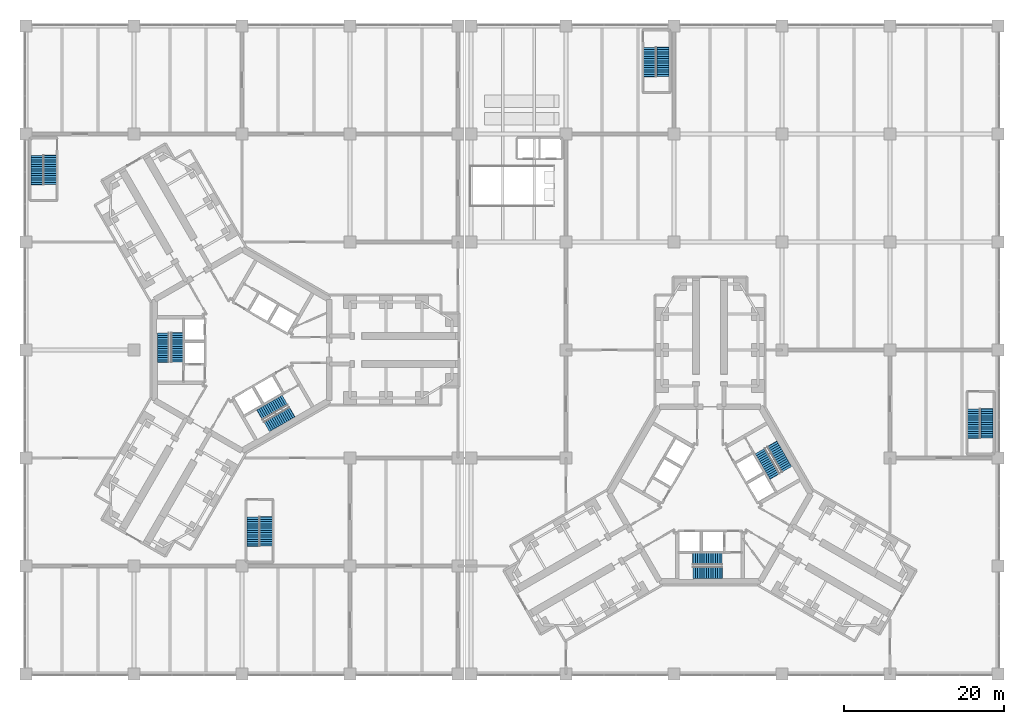
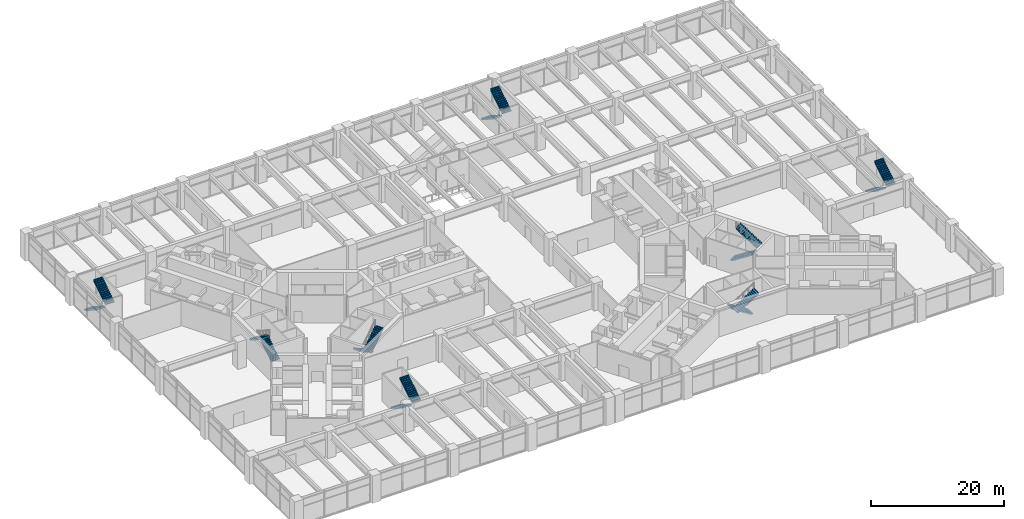
# One storey, part 29 of 32: 16 stair flights, 8 elements without a shape of their own.
"""IFC4 building model written with IfcOpenShell, lengths in metres."""

import ifcopenshell
import ifcopenshell.guid

model = None  # the IFC model being written
_history = None  # IfcOwnerHistory: only IFC2X3 demands one
_inside = {}  # id of a spatial element -> (the spatial element, [elements in it])
_under = {}  # id of a project, library or spatial element -> (it, [spatial elements below it])
_declared = {}  # id of a project -> (the project, [libraries it declares])
_typed = {}  # id of a type object -> (the type object, [elements of that type])
_made_of = {}  # id of a material, layer set ... -> (it, [elements and type objects made of it])


def new_model(schema):
    """Start an empty IFC model of exactly this schema.

    Asked for "IFC4X3", IfcOpenShell would pick the latest addendum, in which some entities
    have other attributes; the version numbers below select the first issue.
    IFC2X3 requires an IfcOwnerHistory on every rooted entity: one is made here for all.
    """
    global model, _history
    if schema == "IFC4X3":
        model = ifcopenshell.file(schema_version=(4, 3, 0, 0))
    else:
        model = ifcopenshell.file(schema=schema)
    _inside.clear()
    _under.clear()
    _declared.clear()
    _typed.clear()
    _made_of.clear()
    _history = None
    if model.schema == "IFC2X3":
        org = make("IfcOrganization", Name="unknown")
        user = make(
            "IfcPersonAndOrganization",
            ThePerson=make("IfcPerson", FamilyName="unknown"),
            TheOrganization=org,
        )
        app = make(
            "IfcApplication",
            ApplicationDeveloper=org,
            Version="unknown",
            ApplicationFullName="unknown",
            ApplicationIdentifier="unknown",
        )
        _history = make(
            "IfcOwnerHistory",
            OwningUser=user,
            OwningApplication=app,
            ChangeAction="ADDED",
            CreationDate=0,
        )
    return model


def make(cls, **values):
    """One entity of the class cls with the attributes given. An attribute that is None is left unset."""
    return model.create_entity(
        cls, **{name: value for name, value in values.items() if value is not None}
    )


def rooted(cls, **values):
    """An entity with a GlobalId (a new one), such as an element, a storey or a relation."""
    return make(cls, GlobalId=ifcopenshell.guid.new(), OwnerHistory=_history, **values)


def si_unit(unit_type, name, prefix=None):
    """IfcSIUnit, for example si_unit("LENGTHUNIT", "METRE", prefix="MILLI")."""
    return make("IfcSIUnit", UnitType=unit_type, Prefix=prefix, Name=name)


def assignment(units):
    """IfcUnitAssignment: the units of a project."""
    return None if units is None else make("IfcUnitAssignment", Units=units)


def point(xyz):
    """IfcCartesianPoint."""
    return None if xyz is None else make("IfcCartesianPoint", Coordinates=xyz)


def direction(xyz):
    """IfcDirection."""
    return None if xyz is None else make("IfcDirection", DirectionRatios=xyz)


def frame(location, z_axis=None, x_axis=None):
    """IfcAxis2Placement3D, a coordinate frame: its origin and axes. An axis left out is left unset."""
    return make(
        "IfcAxis2Placement3D",
        Location=point(location),
        Axis=direction(z_axis),
        RefDirection=direction(x_axis),
    )


def origin():
    """The frame at (0, 0, 0) with its axes left unset."""
    return frame((0.0, 0.0, 0.0))


def place(relative_to, where):
    """IfcLocalPlacement: puts the frame where relative to a parent placement (None: the world)."""
    return make(
        "IfcLocalPlacement", PlacementRelTo=relative_to, RelativePlacement=where
    )


def context(
    kind, dimensions, precision=None, world=None, true_north=None, identifier=None
):
    """IfcGeometricRepresentationContext, for example the 3D "Model" context."""
    return make(
        "IfcGeometricRepresentationContext",
        ContextIdentifier=identifier,
        ContextType=kind,
        CoordinateSpaceDimension=dimensions,
        Precision=precision,
        WorldCoordinateSystem=world,
        TrueNorth=true_north,
    )


def subcontext(parent, identifier, kind, view, scale=None):
    """IfcGeometricRepresentationSubContext, for example "Body" below "Model"."""
    return make(
        "IfcGeometricRepresentationSubContext",
        ContextIdentifier=identifier,
        ContextType=kind,
        ParentContext=parent,
        TargetScale=scale,
        TargetView=view,
    )


def project(units=None, contexts=None):
    """IfcProject with its units and contexts."""
    return rooted(
        "IfcProject",
        Name="project",
        RepresentationContexts=contexts,
        UnitsInContext=assignment(units),
    )


def spatial(cls, under=None, at=None, **own):
    """A site, building, storey or space (cls), placed at a placement, below another one or the project."""
    s = rooted(cls, ObjectPlacement=at, **own)
    if under is not None:
        _under.setdefault(under.id(), (under, []))[1].append(s)
    return s


def polyline(points):
    """IfcPolyline through the points."""
    return make("IfcPolyline", Points=[point(p) for p in points])


def outline(outer, holes=None, kind="AREA"):
    """IfcArbitraryClosedProfileDef: a profile drawn as a closed curve; with holes, ...WithVoids."""
    if holes is None:
        return make("IfcArbitraryClosedProfileDef", ProfileType=kind, OuterCurve=outer)
    return make(
        "IfcArbitraryProfileDefWithVoids",
        ProfileType=kind,
        OuterCurve=outer,
        InnerCurves=holes,
    )


def extrude(swept, where, along, depth):
    """IfcExtrudedAreaSolid: the profile swept, set in the frame where, extruded along a direction by depth."""
    return make(
        "IfcExtrudedAreaSolid",
        SweptArea=swept,
        Position=where,
        ExtrudedDirection=direction(along),
        Depth=depth,
    )


def shape(context_of_items, identifier, shape_type, items):
    """IfcShapeRepresentation: the items that make up one representation, for example the "Body"."""
    return make(
        "IfcShapeRepresentation",
        ContextOfItems=context_of_items,
        RepresentationIdentifier=identifier,
        RepresentationType=shape_type,
        Items=items,
    )


def material(Name=None, Category=None):
    """IfcMaterial."""
    return make("IfcMaterial", Name=Name, Category=Category)


def made_of(thing, what):
    """Note that an element or type object is made of a material, layer set ...; save() writes the relation."""
    if what is not None:
        _made_of.setdefault(what.id(), (what, []))[1].append(thing)
    return thing


def type_object(cls, material=None, **own):
    """A type object (cls), such as IfcWallType, which elements share."""
    return made_of(rooted(cls, **own), material)


def element(
    cls,
    number,
    at=None,
    inside=None,
    cuts=None,
    type_object=None,
    material=None,
    context=None,
    identifier="Body",
    shape_type=None,
    held_by="IfcProductDefinitionShape",
    body=None,
    shapes=None,
    **own,
):
    """One element of the class cls, such as IfcWall. Its Tag is "e" and its number.

    at: its placement. inside: the storey or other place that contains it. cuts: it is an
    opening in that element (IfcRelVoidsElement). A single representation is given by context,
    identifier, shape_type and body (its items); several are given by shapes. held_by: the class
    of the entity that holds the representations. save() writes the other relations.
    """
    e = rooted(cls, Tag="e%d" % number, ObjectPlacement=at, **own)
    if body is not None:
        shapes = [shape(context, identifier, shape_type, body)]
    if shapes is not None:
        e.Representation = make(held_by, Representations=shapes)
    if inside is not None:
        _inside.setdefault(inside.id(), (inside, []))[1].append(e)
    if cuts is not None:
        rooted(
            "IfcRelVoidsElement", RelatingBuildingElement=cuts, RelatedOpeningElement=e
        )
    if type_object is not None:
        _typed.setdefault(type_object.id(), (type_object, []))[1].append(e)
    return made_of(e, material)


def aggregate(whole, parts):
    """IfcRelAggregates: a whole, such as a stair, and the parts it consists of."""
    return rooted("IfcRelAggregates", RelatingObject=whole, RelatedObjects=parts)


def save(model, path):
    """Write the relations noted so far, then the file.

    IfcRelAggregates (storeys below a building ...), IfcRelContainedInSpatialStructure (elements
    in a storey), IfcRelDefinesByType, IfcRelAssociatesMaterial and IfcRelDeclares: one each for
    every whole, place, type object, material and project.
    """
    for whole, parts in _under.values():
        aggregate(whole, parts)
    for where, things in _inside.values():
        rooted(
            "IfcRelContainedInSpatialStructure",
            RelatedElements=things,
            RelatingStructure=where,
        )
    for kind, things in _typed.values():
        rooted("IfcRelDefinesByType", RelatedObjects=things, RelatingType=kind)
    for what, things in _made_of.values():
        rooted("IfcRelAssociatesMaterial", RelatedObjects=things, RelatingMaterial=what)
    for by, libraries in _declared.values():
        rooted("IfcRelDeclares", RelatingContext=by, RelatedDefinitions=libraries)
    model.write(path)


model = new_model("IFC4")

# Units and contexts
model_context = context("Model", 3, precision=1e-05, world=origin(), true_north=direction((0.0, 1.0)))
body_context = subcontext(model_context, "Body", "Model", "MODEL_VIEW")
ifc_project = project(units=[si_unit("LENGTHUNIT", "METRE"), si_unit("AREAUNIT", "SQUARE_METRE"), si_unit("VOLUMEUNIT", "CUBIC_METRE"), si_unit("PLANEANGLEUNIT", "RADIAN"), si_unit("MASSUNIT", "GRAM", prefix="KILO")], contexts=[model_context])

# Site, building, storey
site_placement = place(None, origin())
site = spatial("IfcSite", under=ifc_project, at=site_placement, CompositionType="ELEMENT")
building_placement = place(site_placement, origin())
building = spatial("IfcBuilding", under=site, at=building_placement, Name="Upepo Twin Towers", CompositionType="ELEMENT")
storey_placement = place(building_placement, frame((0.0, 0.0, 5.5)))
storey = spatial("IfcBuildingStorey", under=building, at=storey_placement, Name="L01", CompositionType="ELEMENT", Elevation=5.5)

# Stair, stair flights
ifc_material_1 = material(Name="Concrete C40/50", Category="concrete")
stair_type_1 = type_object("IfcStairType", Name="Podium stair, two flights", PredefinedType="HALF_TURN_STAIR", material=ifc_material_1)
stair_1_placement = place(storey_placement, origin())
stair_1 = element("IfcStair", 1, at=stair_1_placement, inside=storey, type_object=stair_type_1, Name="Podium stair PS1 L01", PredefinedType="HALF_TURN_STAIR")
ifc_material_2 = material(Name="Concrete C40/50", Category="concrete")
stair_flight_type_1 = type_object("IfcStairFlightType", Name="Podium stair flight 1550 RC", PredefinedType="STRAIGHT", material=ifc_material_2)
stair_flight_1_placement = place(storey_placement, frame((-25.625, 24.320068359375, 0.0), z_axis=(0.0, 0.0, 1.0), x_axis=(0.0, -1.0, 0.0)))
stair_flight_1 = element("IfcStairFlight", 2, at=stair_flight_1_placement, type_object=stair_flight_type_1, Name="Stair PS1 flight 1", NumberOfRisers=14, NumberOfTreads=13, PredefinedType="STRAIGHT", RiserHeight=0.178571429, TreadLength=0.28, context=body_context, shape_type="SweptSolid", body=[
    extrude(outline(polyline([(0.0, 0.0), (0.0, 0.178466796875), (0.280029296875, 0.178466796875), (0.280029296875, 0.357177734375), (0.56005859375, 0.357177734375), (0.56005859375, 0.53564453125), (0.840087890625, 0.53564453125), (0.840087890625, 0.71435546875), (1.1201171875, 0.71435546875), (1.1201171875, 0.892822265625), (1.39990234375, 0.892822265625), (1.39990234375, 1.071533203125), (1.679931640625, 1.071533203125), (1.679931640625, 1.25), (1.9599609375, 1.25), (1.9599609375, 1.428466796875), (2.239990234375, 1.428466796875), (2.239990234375, 1.607177734375), (2.52001953125, 1.607177734375), (2.52001953125, 1.78564453125), (2.800048828125, 1.78564453125), (2.800048828125, 1.96435546875), (3.080078125, 1.96435546875), (3.080078125, 2.142822265625), (3.360107421875, 2.142822265625), (3.360107421875, 2.321533203125), (3.639892578125, 2.321533203125), (3.639892578125, 2.5), (3.68994140625, 2.5), (3.68994140625, 2.1435546875), (0.328857421875, 0.0), (0.0, 0.0)])), frame((0.0, 0.77490234375, 0.0), z_axis=(0.0, -1.0, 0.0), x_axis=(1.0, 0.0, 0.0)), (0.0, 0.0, 1.0), 1.550048828125),
])
stair_flight_2_placement = place(storey_placement, frame((-23.97509765625, 20.679931640625, 2.5), z_axis=(0.0, 0.0, 1.0), x_axis=(0.0, 1.0, 0.0)))
stair_flight_2 = element("IfcStairFlight", 3, at=stair_flight_2_placement, type_object=stair_flight_type_1, Name="Stair PS1 flight 2", NumberOfRisers=14, NumberOfTreads=13, PredefinedType="STRAIGHT", RiserHeight=0.178571429, TreadLength=0.28, context=body_context, shape_type="SweptSolid", body=[
    extrude(outline(polyline([(0.0, 0.0), (0.0, 0.178466796875), (0.280029296875, 0.178466796875), (0.280029296875, 0.357177734375), (0.56005859375, 0.357177734375), (0.56005859375, 0.53564453125), (0.840087890625, 0.53564453125), (0.840087890625, 0.71435546875), (1.1201171875, 0.71435546875), (1.1201171875, 0.892822265625), (1.39990234375, 0.892822265625), (1.39990234375, 1.071533203125), (1.679931640625, 1.071533203125), (1.679931640625, 1.25), (1.9599609375, 1.25), (1.9599609375, 1.428466796875), (2.239990234375, 1.428466796875), (2.239990234375, 1.607177734375), (2.52001953125, 1.607177734375), (2.52001953125, 1.78564453125), (2.800048828125, 1.78564453125), (2.800048828125, 1.96435546875), (3.080078125, 1.96435546875), (3.080078125, 2.142822265625), (3.360107421875, 2.142822265625), (3.360107421875, 2.321533203125), (3.639892578125, 2.321533203125), (3.639892578125, 2.5), (3.68994140625, 2.5), (3.68994140625, 2.1435546875), (0.328857421875, 0.0), (0.0, 0.0)])), frame((0.0, 0.77490234375, 0.0), z_axis=(0.0, -1.0, 0.0), x_axis=(1.0, 0.0, 0.0)), (0.0, 0.0, 1.0), 1.550048828125),
])
aggregate(stair_1, [stair_flight_1, stair_flight_2])

stair_2_placement = place(storey_placement, origin())
stair_2 = element("IfcStair", 4, at=stair_2_placement, inside=storey, type_object=stair_type_1, Name="Podium stair PS2 L01", PredefinedType="HALF_TURN_STAIR")
stair_flight_3_placement = place(storey_placement, frame((91.47509765625, -7.3798828125, 0.0), z_axis=(0.0, 0.0, 1.0), x_axis=(0.0, -1.0, 0.0)))
stair_flight_3 = element("IfcStairFlight", 5, at=stair_flight_3_placement, type_object=stair_flight_type_1, Name="Stair PS2 flight 1", NumberOfRisers=14, NumberOfTreads=13, PredefinedType="STRAIGHT", RiserHeight=0.178571429, TreadLength=0.28, context=body_context, shape_type="SweptSolid", body=[
    extrude(outline(polyline([(0.0, 0.0), (0.0, 0.178466796875), (0.280029296875, 0.178466796875), (0.280029296875, 0.357177734375), (0.56005859375, 0.357177734375), (0.56005859375, 0.53564453125), (0.840087890625, 0.53564453125), (0.840087890625, 0.71435546875), (1.1201171875, 0.71435546875), (1.1201171875, 0.892822265625), (1.39990234375, 0.892822265625), (1.39990234375, 1.071533203125), (1.679931640625, 1.071533203125), (1.679931640625, 1.25), (1.9599609375, 1.25), (1.9599609375, 1.428466796875), (2.239990234375, 1.428466796875), (2.239990234375, 1.607177734375), (2.52001953125, 1.607177734375), (2.52001953125, 1.78564453125), (2.800048828125, 1.78564453125), (2.800048828125, 1.96435546875), (3.080078125, 1.96435546875), (3.080078125, 2.142822265625), (3.360107421875, 2.142822265625), (3.360107421875, 2.321533203125), (3.639892578125, 2.321533203125), (3.639892578125, 2.5), (3.68994140625, 2.5), (3.68994140625, 2.1435546875), (0.328857421875, 0.0), (0.0, 0.0)])), frame((0.0, 0.77490234375, 0.0), z_axis=(0.0, -1.0, 0.0), x_axis=(1.0, 0.0, 0.0)), (0.0, 0.0, 1.0), 1.550048828125),
])
stair_flight_4_placement = place(storey_placement, frame((93.125, -11.02001953125, 2.5), z_axis=(0.0, 0.0, 1.0), x_axis=(0.0, 1.0, 0.0)))
stair_flight_4 = element("IfcStairFlight", 6, at=stair_flight_4_placement, type_object=stair_flight_type_1, Name="Stair PS2 flight 2", NumberOfRisers=14, NumberOfTreads=13, PredefinedType="STRAIGHT", RiserHeight=0.178571429, TreadLength=0.28, context=body_context, shape_type="SweptSolid", body=[
    extrude(outline(polyline([(0.0, 0.0), (0.0, 0.178466796875), (0.280029296875, 0.178466796875), (0.280029296875, 0.357177734375), (0.56005859375, 0.357177734375), (0.56005859375, 0.53564453125), (0.840087890625, 0.53564453125), (0.840087890625, 0.71435546875), (1.1201171875, 0.71435546875), (1.1201171875, 0.892822265625), (1.39990234375, 0.892822265625), (1.39990234375, 1.071533203125), (1.679931640625, 1.071533203125), (1.679931640625, 1.25), (1.9599609375, 1.25), (1.9599609375, 1.428466796875), (2.239990234375, 1.428466796875), (2.239990234375, 1.607177734375), (2.52001953125, 1.607177734375), (2.52001953125, 1.78564453125), (2.800048828125, 1.78564453125), (2.800048828125, 1.96435546875), (3.080078125, 1.96435546875), (3.080078125, 2.142822265625), (3.360107421875, 2.142822265625), (3.360107421875, 2.321533203125), (3.639892578125, 2.321533203125), (3.639892578125, 2.5), (3.68994140625, 2.5), (3.68994140625, 2.1435546875), (0.328857421875, 0.0), (0.0, 0.0)])), frame((0.0, 0.77490234375, 0.0), z_axis=(0.0, -1.0, 0.0), x_axis=(1.0, 0.0, 0.0)), (0.0, 0.0, 1.0), 1.550048828125),
])
aggregate(stair_2, [stair_flight_3, stair_flight_4])

stair_3_placement = place(storey_placement, origin())
stair_3 = element("IfcStair", 7, at=stair_3_placement, inside=storey, type_object=stair_type_1, Name="Podium stair PS3 L01", PredefinedType="HALF_TURN_STAIR")
stair_flight_5_placement = place(storey_placement, frame((1.375, -20.8798828125, 0.0), z_axis=(0.0, 0.0, 1.0), x_axis=(0.0, -1.0, 0.0)))
stair_flight_5 = element("IfcStairFlight", 8, at=stair_flight_5_placement, type_object=stair_flight_type_1, Name="Stair PS3 flight 1", NumberOfRisers=14, NumberOfTreads=13, PredefinedType="STRAIGHT", RiserHeight=0.178571429, TreadLength=0.28, context=body_context, shape_type="SweptSolid", body=[
    extrude(outline(polyline([(0.0, 0.0), (0.0, 0.178466796875), (0.280029296875, 0.178466796875), (0.280029296875, 0.357177734375), (0.56005859375, 0.357177734375), (0.56005859375, 0.53564453125), (0.840087890625, 0.53564453125), (0.840087890625, 0.71435546875), (1.1201171875, 0.71435546875), (1.1201171875, 0.892822265625), (1.39990234375, 0.892822265625), (1.39990234375, 1.071533203125), (1.679931640625, 1.071533203125), (1.679931640625, 1.25), (1.9599609375, 1.25), (1.9599609375, 1.428466796875), (2.239990234375, 1.428466796875), (2.239990234375, 1.607177734375), (2.52001953125, 1.607177734375), (2.52001953125, 1.78564453125), (2.800048828125, 1.78564453125), (2.800048828125, 1.96435546875), (3.080078125, 1.96435546875), (3.080078125, 2.142822265625), (3.360107421875, 2.142822265625), (3.360107421875, 2.321533203125), (3.639892578125, 2.321533203125), (3.639892578125, 2.5), (3.68994140625, 2.5), (3.68994140625, 2.1435546875), (0.328857421875, 0.0), (0.0, 0.0)])), frame((0.0, 0.77490234375, 0.0), z_axis=(0.0, -1.0, 0.0), x_axis=(1.0, 0.0, 0.0)), (0.0, 0.0, 1.0), 1.550048828125),
])
stair_flight_6_placement = place(storey_placement, frame((3.02490234375, -24.52001953125, 2.5), z_axis=(0.0, 0.0, 1.0), x_axis=(0.0, 1.0, 0.0)))
stair_flight_6 = element("IfcStairFlight", 9, at=stair_flight_6_placement, type_object=stair_flight_type_1, Name="Stair PS3 flight 2", NumberOfRisers=14, NumberOfTreads=13, PredefinedType="STRAIGHT", RiserHeight=0.178571429, TreadLength=0.28, context=body_context, shape_type="SweptSolid", body=[
    extrude(outline(polyline([(0.0, 0.0), (0.0, 0.178466796875), (0.280029296875, 0.178466796875), (0.280029296875, 0.357177734375), (0.56005859375, 0.357177734375), (0.56005859375, 0.53564453125), (0.840087890625, 0.53564453125), (0.840087890625, 0.71435546875), (1.1201171875, 0.71435546875), (1.1201171875, 0.892822265625), (1.39990234375, 0.892822265625), (1.39990234375, 1.071533203125), (1.679931640625, 1.071533203125), (1.679931640625, 1.25), (1.9599609375, 1.25), (1.9599609375, 1.428466796875), (2.239990234375, 1.428466796875), (2.239990234375, 1.607177734375), (2.52001953125, 1.607177734375), (2.52001953125, 1.78564453125), (2.800048828125, 1.78564453125), (2.800048828125, 1.96435546875), (3.080078125, 1.96435546875), (3.080078125, 2.142822265625), (3.360107421875, 2.142822265625), (3.360107421875, 2.321533203125), (3.639892578125, 2.321533203125), (3.639892578125, 2.5), (3.68994140625, 2.5), (3.68994140625, 2.1435546875), (0.328857421875, 0.0), (0.0, 0.0)])), frame((0.0, 0.77490234375, 0.0), z_axis=(0.0, -1.0, 0.0), x_axis=(1.0, 0.0, 0.0)), (0.0, 0.0, 1.0), 1.550048828125),
])
aggregate(stair_3, [stair_flight_5, stair_flight_6])

stair_4_placement = place(storey_placement, origin())
stair_4 = element("IfcStair", 10, at=stair_4_placement, inside=storey, type_object=stair_type_1, Name="Podium stair PS4 L01", PredefinedType="HALF_TURN_STAIR")
stair_flight_7_placement = place(storey_placement, frame((50.97509765625, 37.820068359375, 0.0), z_axis=(0.0, 0.0, 1.0), x_axis=(0.0, -1.0, 0.0)))
stair_flight_7 = element("IfcStairFlight", 11, at=stair_flight_7_placement, type_object=stair_flight_type_1, Name="Stair PS4 flight 1", NumberOfRisers=14, NumberOfTreads=13, PredefinedType="STRAIGHT", RiserHeight=0.178571429, TreadLength=0.28, context=body_context, shape_type="SweptSolid", body=[
    extrude(outline(polyline([(0.0, 0.0), (0.0, 0.178466796875), (0.280029296875, 0.178466796875), (0.280029296875, 0.357177734375), (0.56005859375, 0.357177734375), (0.56005859375, 0.53564453125), (0.840087890625, 0.53564453125), (0.840087890625, 0.71435546875), (1.1201171875, 0.71435546875), (1.1201171875, 0.892822265625), (1.39990234375, 0.892822265625), (1.39990234375, 1.071533203125), (1.679931640625, 1.071533203125), (1.679931640625, 1.25), (1.9599609375, 1.25), (1.9599609375, 1.428466796875), (2.239990234375, 1.428466796875), (2.239990234375, 1.607177734375), (2.52001953125, 1.607177734375), (2.52001953125, 1.78564453125), (2.800048828125, 1.78564453125), (2.800048828125, 1.96435546875), (3.080078125, 1.96435546875), (3.080078125, 2.142822265625), (3.360107421875, 2.142822265625), (3.360107421875, 2.321533203125), (3.639892578125, 2.321533203125), (3.639892578125, 2.5), (3.68994140625, 2.5), (3.68994140625, 2.1435546875), (0.328857421875, 0.0), (0.0, 0.0)])), frame((0.0, 0.77490234375, 0.0), z_axis=(0.0, -1.0, 0.0), x_axis=(1.0, 0.0, 0.0)), (0.0, 0.0, 1.0), 1.550048828125),
])
stair_flight_8_placement = place(storey_placement, frame((52.625, 34.179931640625, 2.5), z_axis=(0.0, 0.0, 1.0), x_axis=(0.0, 1.0, 0.0)))
stair_flight_8 = element("IfcStairFlight", 12, at=stair_flight_8_placement, type_object=stair_flight_type_1, Name="Stair PS4 flight 2", NumberOfRisers=14, NumberOfTreads=13, PredefinedType="STRAIGHT", RiserHeight=0.178571429, TreadLength=0.28, context=body_context, shape_type="SweptSolid", body=[
    extrude(outline(polyline([(0.0, 0.0), (0.0, 0.178466796875), (0.280029296875, 0.178466796875), (0.280029296875, 0.357177734375), (0.56005859375, 0.357177734375), (0.56005859375, 0.53564453125), (0.840087890625, 0.53564453125), (0.840087890625, 0.71435546875), (1.1201171875, 0.71435546875), (1.1201171875, 0.892822265625), (1.39990234375, 0.892822265625), (1.39990234375, 1.071533203125), (1.679931640625, 1.071533203125), (1.679931640625, 1.25), (1.9599609375, 1.25), (1.9599609375, 1.428466796875), (2.239990234375, 1.428466796875), (2.239990234375, 1.607177734375), (2.52001953125, 1.607177734375), (2.52001953125, 1.78564453125), (2.800048828125, 1.78564453125), (2.800048828125, 1.96435546875), (3.080078125, 1.96435546875), (3.080078125, 2.142822265625), (3.360107421875, 2.142822265625), (3.360107421875, 2.321533203125), (3.639892578125, 2.321533203125), (3.639892578125, 2.5), (3.68994140625, 2.5), (3.68994140625, 2.1435546875), (0.328857421875, 0.0), (0.0, 0.0)])), frame((0.0, 0.77490234375, 0.0), z_axis=(0.0, -1.0, 0.0), x_axis=(1.0, 0.0, 0.0)), (0.0, 0.0, 1.0), 1.550048828125),
])
aggregate(stair_4, [stair_flight_7, stair_flight_8])

ifc_material_3 = material(Name="Concrete C40/50", Category="concrete")
stair_type_2 = type_object("IfcStairType", Name="Core stair, two flights", PredefinedType="HALF_TURN_STAIR", material=ifc_material_3)
stair_5_placement = place(storey_placement, origin())
stair_5 = element("IfcStair", 13, at=stair_5_placement, inside=storey, type_object=stair_type_2, Name="T1 stair S1 L01", PredefinedType="HALF_TURN_STAIR")
ifc_material_4 = material(Name="Concrete C40/50", Category="concrete")
stair_flight_type_2 = type_object("IfcStairFlightType", Name="Stair flight 1450 RC", PredefinedType="STRAIGHT", material=ifc_material_4)
stair_flight_9_placement = place(storey_placement, frame((-8.125, -1.52001953125, 0.0), z_axis=(0.0, 0.0, 1.0), x_axis=(0.0, 1.0, 0.0)))
stair_flight_9 = element("IfcStairFlight", 14, at=stair_flight_9_placement, type_object=stair_flight_type_2, Name="Stair S1 flight 1", NumberOfRisers=14, NumberOfTreads=13, PredefinedType="STRAIGHT", RiserHeight=0.178571429, TreadLength=0.28, context=body_context, shape_type="SweptSolid", body=[
    extrude(outline(polyline([(0.0, 0.0), (0.0, 0.178466796875), (0.280029296875, 0.178466796875), (0.280029296875, 0.357177734375), (0.56005859375, 0.357177734375), (0.56005859375, 0.53564453125), (0.840087890625, 0.53564453125), (0.840087890625, 0.71435546875), (1.1201171875, 0.71435546875), (1.1201171875, 0.892822265625), (1.39990234375, 0.892822265625), (1.39990234375, 1.071533203125), (1.679931640625, 1.071533203125), (1.679931640625, 1.25), (1.9599609375, 1.25), (1.9599609375, 1.428466796875), (2.239990234375, 1.428466796875), (2.239990234375, 1.607177734375), (2.52001953125, 1.607177734375), (2.52001953125, 1.78564453125), (2.800048828125, 1.78564453125), (2.800048828125, 1.96435546875), (3.080078125, 1.96435546875), (3.080078125, 2.142822265625), (3.360107421875, 2.142822265625), (3.360107421875, 2.321533203125), (3.639892578125, 2.321533203125), (3.639892578125, 2.5), (3.68994140625, 2.5), (3.68994140625, 2.1435546875), (0.328857421875, 0.0), (0.0, 0.0)])), frame((0.0, 0.72509765625, 0.0), z_axis=(0.0, -1.0, 0.0), x_axis=(1.0, 0.0, 0.0)), (0.0, 0.0, 1.0), 1.449951171875),
])
stair_flight_10_placement = place(storey_placement, frame((-9.833251953125, 2.1201171875, 2.5), z_axis=(0.0, 0.0, 1.0), x_axis=(0.0, -1.0, 0.0)))
stair_flight_10 = element("IfcStairFlight", 15, at=stair_flight_10_placement, type_object=stair_flight_type_2, Name="Stair S1 flight 2", NumberOfRisers=14, NumberOfTreads=13, PredefinedType="STRAIGHT", RiserHeight=0.178571429, TreadLength=0.28, context=body_context, shape_type="SweptSolid", body=[
    extrude(outline(polyline([(0.0, 0.0), (0.0, 0.178466796875), (0.280029296875, 0.178466796875), (0.280029296875, 0.357177734375), (0.56005859375, 0.357177734375), (0.56005859375, 0.53564453125), (0.840087890625, 0.53564453125), (0.840087890625, 0.71435546875), (1.1201171875, 0.71435546875), (1.1201171875, 0.892822265625), (1.39990234375, 0.892822265625), (1.39990234375, 1.071533203125), (1.679931640625, 1.071533203125), (1.679931640625, 1.25), (1.9599609375, 1.25), (1.9599609375, 1.428466796875), (2.239990234375, 1.428466796875), (2.239990234375, 1.607177734375), (2.52001953125, 1.607177734375), (2.52001953125, 1.78564453125), (2.800048828125, 1.78564453125), (2.800048828125, 1.96435546875), (3.080078125, 1.96435546875), (3.080078125, 2.142822265625), (3.360107421875, 2.142822265625), (3.360107421875, 2.321533203125), (3.639892578125, 2.321533203125), (3.639892578125, 2.5), (3.68994140625, 2.5), (3.68994140625, 2.1435546875), (0.328857421875, 0.0), (0.0, 0.0)])), frame((0.0, 0.72509765625, 0.0), z_axis=(0.0, -1.0, 0.0), x_axis=(1.0, 0.0, 0.0)), (0.0, 0.0, 1.0), 1.449951171875),
])
aggregate(stair_5, [stair_flight_9, stair_flight_10])

stair_6_placement = place(storey_placement, origin())
stair_6 = element("IfcStair", 16, at=stair_6_placement, inside=storey, type_object=stair_type_2, Name="T1 stair S2 L01", PredefinedType="HALF_TURN_STAIR")
stair_flight_11_placement = place(storey_placement, frame((5.37890625, -6.2763671875, 0.0), z_axis=(0.0, 0.0, 1.0), x_axis=(-0.866025403784, -0.5, 0.0)))
stair_flight_11 = element("IfcStairFlight", 17, at=stair_flight_11_placement, type_object=stair_flight_type_2, Name="Stair S2 flight 1", NumberOfRisers=14, NumberOfTreads=13, PredefinedType="STRAIGHT", RiserHeight=0.178571429, TreadLength=0.28, context=body_context, shape_type="SweptSolid", body=[
    extrude(outline(polyline([(0.0, 0.0), (0.0, 0.178466796875), (0.280029296875, 0.178466796875), (0.280029296875, 0.357177734375), (0.56005859375, 0.357177734375), (0.56005859375, 0.53564453125), (0.840087890625, 0.53564453125), (0.840087890625, 0.71435546875), (1.1201171875, 0.71435546875), (1.1201171875, 0.892822265625), (1.39990234375, 0.892822265625), (1.39990234375, 1.071533203125), (1.679931640625, 1.071533203125), (1.679931640625, 1.25), (1.9599609375, 1.25), (1.9599609375, 1.428466796875), (2.239990234375, 1.428466796875), (2.239990234375, 1.607177734375), (2.52001953125, 1.607177734375), (2.52001953125, 1.78564453125), (2.800048828125, 1.78564453125), (2.800048828125, 1.96435546875), (3.080078125, 1.96435546875), (3.080078125, 2.142822265625), (3.360107421875, 2.142822265625), (3.360107421875, 2.321533203125), (3.639892578125, 2.321533203125), (3.639892578125, 2.5), (3.68994140625, 2.5), (3.68994140625, 2.1435546875), (0.328857421875, 0.0), (0.0, 0.0)])), frame((0.0, 0.72509765625, 0.0), z_axis=(0.0, -1.0, 0.0), x_axis=(1.0, 0.0, 0.0)), (0.0, 0.0, 1.0), 1.449951171875),
])
stair_flight_12_placement = place(storey_placement, frame((3.080810546875, -9.575927734375, 2.5), z_axis=(0.0, 0.0, 1.0), x_axis=(0.866025403784, 0.5, 0.0)))
stair_flight_12 = element("IfcStairFlight", 18, at=stair_flight_12_placement, type_object=stair_flight_type_2, Name="Stair S2 flight 2", NumberOfRisers=14, NumberOfTreads=13, PredefinedType="STRAIGHT", RiserHeight=0.178571429, TreadLength=0.28, context=body_context, shape_type="SweptSolid", body=[
    extrude(outline(polyline([(0.0, 0.0), (0.0, 0.178466796875), (0.280029296875, 0.178466796875), (0.280029296875, 0.357177734375), (0.56005859375, 0.357177734375), (0.56005859375, 0.53564453125), (0.840087890625, 0.53564453125), (0.840087890625, 0.71435546875), (1.1201171875, 0.71435546875), (1.1201171875, 0.892822265625), (1.39990234375, 0.892822265625), (1.39990234375, 1.071533203125), (1.679931640625, 1.071533203125), (1.679931640625, 1.25), (1.9599609375, 1.25), (1.9599609375, 1.428466796875), (2.239990234375, 1.428466796875), (2.239990234375, 1.607177734375), (2.52001953125, 1.607177734375), (2.52001953125, 1.78564453125), (2.800048828125, 1.78564453125), (2.800048828125, 1.96435546875), (3.080078125, 1.96435546875), (3.080078125, 2.142822265625), (3.360107421875, 2.142822265625), (3.360107421875, 2.321533203125), (3.639892578125, 2.321533203125), (3.639892578125, 2.5), (3.68994140625, 2.5), (3.68994140625, 2.1435546875), (0.328857421875, 0.0), (0.0, 0.0)])), frame((0.0, 0.72509765625, 0.0), z_axis=(0.0, -1.0, 0.0), x_axis=(1.0, 0.0, 0.0)), (0.0, 0.0, 1.0), 1.449951171875),
])
aggregate(stair_6, [stair_flight_11, stair_flight_12])

stair_7_placement = place(storey_placement, origin())
stair_7 = element("IfcStair", 19, at=stair_7_placement, inside=storey, type_object=stair_type_2, Name="T2 stair S1 L01", PredefinedType="HALF_TURN_STAIR")
stair_flight_13_placement = place(storey_placement, frame((60.02001953125, -26.125, 0.0), z_axis=(0.0, 0.0, 1.0), x_axis=(-1.0, 0.0, 0.0)))
stair_flight_13 = element("IfcStairFlight", 20, at=stair_flight_13_placement, type_object=stair_flight_type_2, Name="Stair S1 flight 1", NumberOfRisers=14, NumberOfTreads=13, PredefinedType="STRAIGHT", RiserHeight=0.178571429, TreadLength=0.28, context=body_context, shape_type="SweptSolid", body=[
    extrude(outline(polyline([(0.0, 0.0), (0.0, 0.178466796875), (0.280029296875, 0.178466796875), (0.280029296875, 0.357177734375), (0.56005859375, 0.357177734375), (0.56005859375, 0.53564453125), (0.840087890625, 0.53564453125), (0.840087890625, 0.71435546875), (1.1201171875, 0.71435546875), (1.1201171875, 0.892822265625), (1.39990234375, 0.892822265625), (1.39990234375, 1.071533203125), (1.679931640625, 1.071533203125), (1.679931640625, 1.25), (1.9599609375, 1.25), (1.9599609375, 1.428466796875), (2.239990234375, 1.428466796875), (2.239990234375, 1.607177734375), (2.52001953125, 1.607177734375), (2.52001953125, 1.78564453125), (2.800048828125, 1.78564453125), (2.800048828125, 1.96435546875), (3.080078125, 1.96435546875), (3.080078125, 2.142822265625), (3.360107421875, 2.142822265625), (3.360107421875, 2.321533203125), (3.639892578125, 2.321533203125), (3.639892578125, 2.5), (3.68994140625, 2.5), (3.68994140625, 2.1435546875), (0.328857421875, 0.0), (0.0, 0.0)])), frame((0.0, 0.72509765625, 0.0), z_axis=(0.0, -1.0, 0.0), x_axis=(1.0, 0.0, 0.0)), (0.0, 0.0, 1.0), 1.449951171875),
])
stair_flight_14_placement = place(storey_placement, frame((56.3798828125, -27.833251953125, 2.5), z_axis=(0.0, 0.0, 1.0), x_axis=(1.0, 0.0, 0.0)))
stair_flight_14 = element("IfcStairFlight", 21, at=stair_flight_14_placement, type_object=stair_flight_type_2, Name="Stair S1 flight 2", NumberOfRisers=14, NumberOfTreads=13, PredefinedType="STRAIGHT", RiserHeight=0.178571429, TreadLength=0.28, context=body_context, shape_type="SweptSolid", body=[
    extrude(outline(polyline([(0.0, 0.0), (0.0, 0.178466796875), (0.280029296875, 0.178466796875), (0.280029296875, 0.357177734375), (0.56005859375, 0.357177734375), (0.56005859375, 0.53564453125), (0.840087890625, 0.53564453125), (0.840087890625, 0.71435546875), (1.1201171875, 0.71435546875), (1.1201171875, 0.892822265625), (1.39990234375, 0.892822265625), (1.39990234375, 1.071533203125), (1.679931640625, 1.071533203125), (1.679931640625, 1.25), (1.9599609375, 1.25), (1.9599609375, 1.428466796875), (2.239990234375, 1.428466796875), (2.239990234375, 1.607177734375), (2.52001953125, 1.607177734375), (2.52001953125, 1.78564453125), (2.800048828125, 1.78564453125), (2.800048828125, 1.96435546875), (3.080078125, 1.96435546875), (3.080078125, 2.142822265625), (3.360107421875, 2.142822265625), (3.360107421875, 2.321533203125), (3.639892578125, 2.321533203125), (3.639892578125, 2.5), (3.68994140625, 2.5), (3.68994140625, 2.1435546875), (0.328857421875, 0.0), (0.0, 0.0)])), frame((0.0, 0.72509765625, 0.0), z_axis=(0.0, -1.0, 0.0), x_axis=(1.0, 0.0, 0.0)), (0.0, 0.0, 1.0), 1.449951171875),
])
aggregate(stair_7, [stair_flight_13, stair_flight_14])

stair_8_placement = place(storey_placement, origin())
stair_8 = element("IfcStair", 22, at=stair_8_placement, inside=storey, type_object=stair_type_2, Name="T2 stair S2 L01", PredefinedType="HALF_TURN_STAIR")
stair_flight_15_placement = place(storey_placement, frame((64.7763671875, -12.62109375, 0.0), z_axis=(0.0, 0.0, 1.0), x_axis=(0.5, -0.866025403784, 0.0)))
stair_flight_15 = element("IfcStairFlight", 23, at=stair_flight_15_placement, type_object=stair_flight_type_2, Name="Stair S2 flight 1", NumberOfRisers=14, NumberOfTreads=13, PredefinedType="STRAIGHT", RiserHeight=0.178571429, TreadLength=0.28, context=body_context, shape_type="SweptSolid", body=[
    extrude(outline(polyline([(0.0, 0.0), (0.0, 0.178466796875), (0.280029296875, 0.178466796875), (0.280029296875, 0.357177734375), (0.56005859375, 0.357177734375), (0.56005859375, 0.53564453125), (0.840087890625, 0.53564453125), (0.840087890625, 0.71435546875), (1.1201171875, 0.71435546875), (1.1201171875, 0.892822265625), (1.39990234375, 0.892822265625), (1.39990234375, 1.071533203125), (1.679931640625, 1.071533203125), (1.679931640625, 1.25), (1.9599609375, 1.25), (1.9599609375, 1.428466796875), (2.239990234375, 1.428466796875), (2.239990234375, 1.607177734375), (2.52001953125, 1.607177734375), (2.52001953125, 1.78564453125), (2.800048828125, 1.78564453125), (2.800048828125, 1.96435546875), (3.080078125, 1.96435546875), (3.080078125, 2.142822265625), (3.360107421875, 2.142822265625), (3.360107421875, 2.321533203125), (3.639892578125, 2.321533203125), (3.639892578125, 2.5), (3.68994140625, 2.5), (3.68994140625, 2.1435546875), (0.328857421875, 0.0), (0.0, 0.0)])), frame((0.0, 0.72509765625, 0.0), z_axis=(0.0, -1.0, 0.0), x_axis=(1.0, 0.0, 0.0)), (0.0, 0.0, 1.0), 1.449951171875),
])
stair_flight_16_placement = place(storey_placement, frame((68.075927734375, -14.919189453125, 2.5), z_axis=(0.0, 0.0, 1.0), x_axis=(-0.5, 0.866025403784, 0.0)))
stair_flight_16 = element("IfcStairFlight", 24, at=stair_flight_16_placement, type_object=stair_flight_type_2, Name="Stair S2 flight 2", NumberOfRisers=14, NumberOfTreads=13, PredefinedType="STRAIGHT", RiserHeight=0.178571429, TreadLength=0.28, context=body_context, shape_type="SweptSolid", body=[
    extrude(outline(polyline([(0.0, 0.0), (0.0, 0.178466796875), (0.280029296875, 0.178466796875), (0.280029296875, 0.357177734375), (0.56005859375, 0.357177734375), (0.56005859375, 0.53564453125), (0.840087890625, 0.53564453125), (0.840087890625, 0.71435546875), (1.1201171875, 0.71435546875), (1.1201171875, 0.892822265625), (1.39990234375, 0.892822265625), (1.39990234375, 1.071533203125), (1.679931640625, 1.071533203125), (1.679931640625, 1.25), (1.9599609375, 1.25), (1.9599609375, 1.428466796875), (2.239990234375, 1.428466796875), (2.239990234375, 1.607177734375), (2.52001953125, 1.607177734375), (2.52001953125, 1.78564453125), (2.800048828125, 1.78564453125), (2.800048828125, 1.96435546875), (3.080078125, 1.96435546875), (3.080078125, 2.142822265625), (3.360107421875, 2.142822265625), (3.360107421875, 2.321533203125), (3.639892578125, 2.321533203125), (3.639892578125, 2.5), (3.68994140625, 2.5), (3.68994140625, 2.1435546875), (0.328857421875, 0.0), (0.0, 0.0)])), frame((0.0, 0.72509765625, 0.0), z_axis=(0.0, -1.0, 0.0), x_axis=(1.0, 0.0, 0.0)), (0.0, 0.0, 1.0), 1.449951171875),
])
aggregate(stair_8, [stair_flight_15, stair_flight_16])

save(model, "model.ifc")
